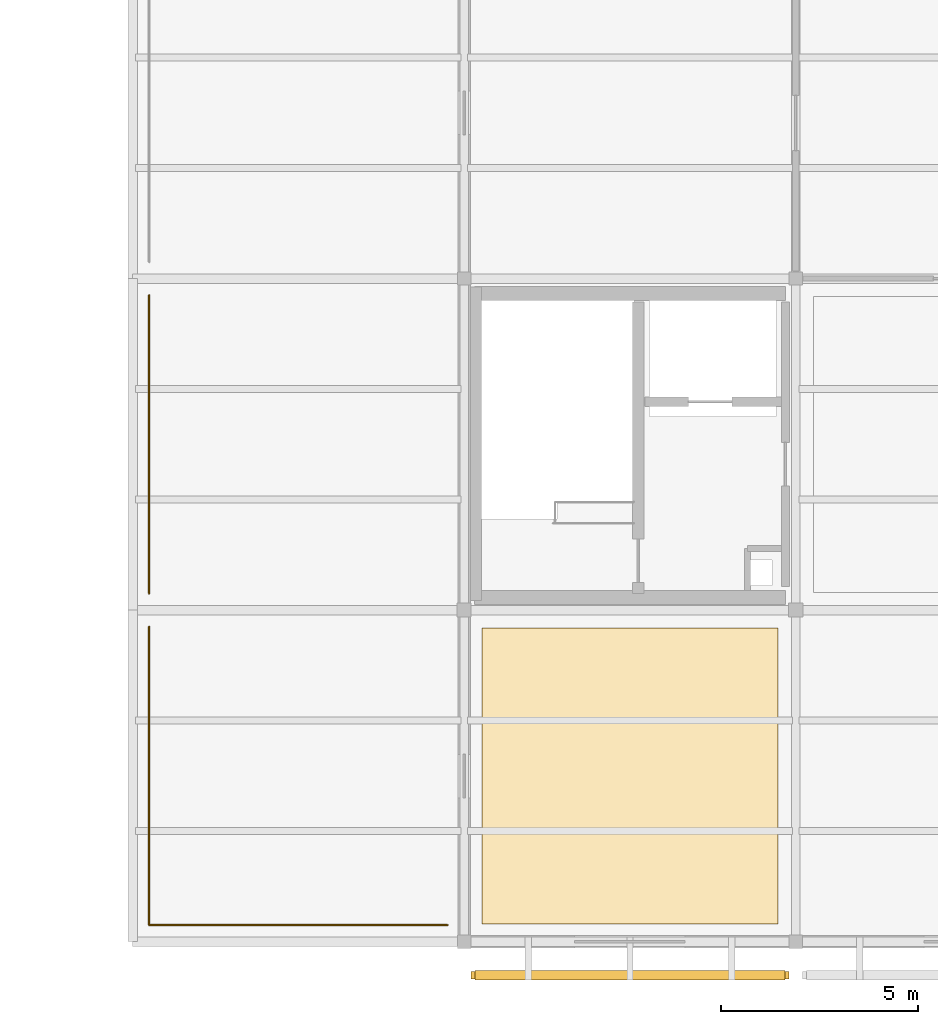
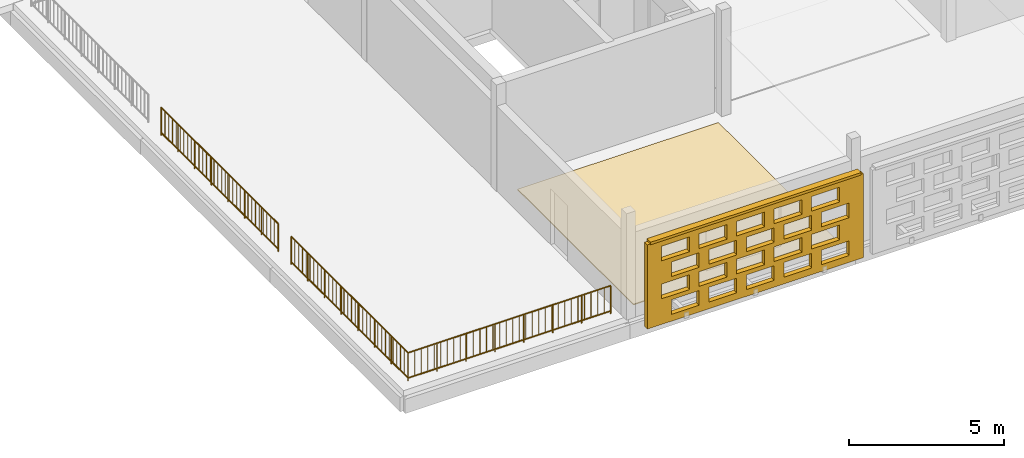
# One storey, part 79 of 103: 3 railings, 2 coverings, 1 shading device, 20 openings.
"""IFC4 building model written with IfcOpenShell, lengths in metres."""

from ifc_helpers import new_model, si_unit, direction, frame, frame_2d, origin, origin_2d, place, context, subcontext, project, spatial, rectangle, circle, extrude, material, layer, layer_set, type_object, element, save


model = new_model("IFC4")

# Units and contexts
model_context = context("Model", 3, precision=1e-05, world=origin(), true_north=direction((0.0, 1.0)))
body_context = subcontext(model_context, "Body", "Model", "MODEL_VIEW")
ifc_project = project(units=[si_unit("LENGTHUNIT", "METRE"), si_unit("AREAUNIT", "SQUARE_METRE"), si_unit("VOLUMEUNIT", "CUBIC_METRE"), si_unit("PLANEANGLEUNIT", "RADIAN"), si_unit("MASSUNIT", "GRAM", prefix="KILO")], contexts=[model_context])

# Site, building, storey
site_placement = place(None, origin())
site = spatial("IfcSite", under=ifc_project, at=site_placement, CompositionType="ELEMENT")
building_placement = place(site_placement, origin())
building = spatial("IfcBuilding", under=site, at=building_placement, Name="Varnapada Polytechnic", CompositionType="ELEMENT")
storey_placement = place(building_placement, frame((0.0, 0.0, 18.0)))
storey = spatial("IfcBuildingStorey", under=building, at=storey_placement, Name="L04", CompositionType="ELEMENT", Elevation=18.0)

# Covering
ifc_material_1 = material(Name="Acoustic Rubber Seminar Flooring")
ifc_layer_1 = layer(ifc_material_1, 0.0400390625)
ifc_layer_set_1 = layer_set([ifc_layer_1], Name="Acoustic Rubber Seminar Flooring")
covering_type_1 = type_object("IfcCoveringType", Name="Floor Finish FLR-06", PredefinedType="FLOORING", material=ifc_layer_set_1)
covering_1_placement = place(storey_placement, frame((21.0, 12.60009765625, 0.0), z_axis=(0.0, 0.0, 1.0), x_axis=(1.0, 0.0, 0.0)))
element("IfcCovering", 1, at=covering_1_placement, inside=storey, type_object=covering_type_1, Name="L04 floor finish panel (3,2)", PredefinedType="FLOORING", context=body_context, shape_type="SweptSolid", body=[
    extrude(rectangle(XDim=7.5, YDim=7.5, at=origin_2d()), origin(), (0.0, 0.0, 1.0), 0.0400390625),
])

# Railings
ifc_material_2 = material(Name="Painted galvanized steel", Category="steel")
railing_type = type_object("IfcRailingType", Name="Terrace Guard Rail GRD-01", PredefinedType="BALUSTRADE", material=ifc_material_2)
railing_1_placement = place(storey_placement, frame((8.820068359375, 8.820068359375, 0.0)))
element("IfcRailing", 2, at=railing_1_placement, inside=storey, type_object=railing_type, Name="L04 terrace perimeter guard rail 1", PredefinedType="BALUSTRADE", context=body_context, shape_type="SweptSolid", body=[
    extrude(circle(Radius=0.02392578125, at=origin_2d()), frame((0.0, 0.0, 1.09619140625), z_axis=(1.0, 0.0, 0.0), x_axis=(0.0, 1.0, 0.0)), (0.0, 0.0, 1.0), 7.559814453125),
    extrude(circle(Radius=0.02392578125, at=origin_2d()), frame((0.0, 0.0, 0.10009765625), z_axis=(1.0, 0.0, 0.0), x_axis=(0.0, 1.0, 0.0)), (0.0, 0.0, 1.0), 7.559814453125),
    extrude(circle(Radius=0.02099609375, at=origin_2d()), origin(), (0.0, 0.0, 1.0), 1.072021484375),
    extrude(circle(Radius=0.02099609375, at=origin_2d()), frame((1.080078125, 0.0, 0.0)), (0.0, 0.0, 1.0), 1.072021484375),
    extrude(circle(Radius=0.02099609375, at=origin_2d()), frame((2.159912109375, 0.0, 0.0)), (0.0, 0.0, 1.0), 1.072021484375),
    extrude(circle(Radius=0.02099609375, at=origin_2d()), frame((3.239990234375, 0.0, 0.0)), (0.0, 0.0, 1.0), 1.072021484375),
    extrude(circle(Radius=0.02099609375, at=origin_2d()), frame((4.31982421875, 0.0, 0.0)), (0.0, 0.0, 1.0), 1.072021484375),
    extrude(circle(Radius=0.02099609375, at=origin_2d()), frame((5.39990234375, 0.0, 0.0)), (0.0, 0.0, 1.0), 1.072021484375),
    extrude(circle(Radius=0.02099609375, at=origin_2d()), frame((6.479736328125, 0.0, 0.0)), (0.0, 0.0, 1.0), 1.072021484375),
    extrude(circle(Radius=0.02099609375, at=origin_2d()), frame((7.559814453125, 0.0, 0.0)), (0.0, 0.0, 1.0), 1.072021484375),
    extrude(circle(Radius=0.010009765625, at=origin_2d()), frame((0.243896484375, 0.0, 0.10009765625)), (0.0, 0.0, 1.0), 0.971923828125),
    extrude(circle(Radius=0.010009765625, at=origin_2d()), frame((0.48779296875, 0.0, 0.10009765625)), (0.0, 0.0, 1.0), 0.971923828125),
    extrude(circle(Radius=0.010009765625, at=origin_2d()), frame((0.731689453125, 0.0, 0.10009765625)), (0.0, 0.0, 1.0), 0.971923828125),
    extrude(circle(Radius=0.010009765625, at=origin_2d()), frame((0.975341796875, 0.0, 0.10009765625)), (0.0, 0.0, 1.0), 0.971923828125),
    extrude(circle(Radius=0.010009765625, at=origin_2d()), frame((1.21923828125, 0.0, 0.10009765625)), (0.0, 0.0, 1.0), 0.971923828125),
    extrude(circle(Radius=0.010009765625, at=origin_2d()), frame((1.463134765625, 0.0, 0.10009765625)), (0.0, 0.0, 1.0), 0.971923828125),
    extrude(circle(Radius=0.010009765625, at=origin_2d()), frame((1.70703125, 0.0, 0.10009765625)), (0.0, 0.0, 1.0), 0.971923828125),
    extrude(circle(Radius=0.010009765625, at=origin_2d()), frame((1.950927734375, 0.0, 0.10009765625)), (0.0, 0.0, 1.0), 0.971923828125),
    extrude(circle(Radius=0.010009765625, at=origin_2d()), frame((2.19482421875, 0.0, 0.10009765625)), (0.0, 0.0, 1.0), 0.971923828125),
    extrude(circle(Radius=0.010009765625, at=origin_2d()), frame((2.438720703125, 0.0, 0.10009765625)), (0.0, 0.0, 1.0), 0.971923828125),
    extrude(circle(Radius=0.010009765625, at=origin_2d()), frame((2.6826171875, 0.0, 0.10009765625)), (0.0, 0.0, 1.0), 0.971923828125),
    extrude(circle(Radius=0.010009765625, at=origin_2d()), frame((2.92626953125, 0.0, 0.10009765625)), (0.0, 0.0, 1.0), 0.971923828125),
    extrude(circle(Radius=0.010009765625, at=origin_2d()), frame((3.170166015625, 0.0, 0.10009765625)), (0.0, 0.0, 1.0), 0.971923828125),
    extrude(circle(Radius=0.010009765625, at=origin_2d()), frame((3.4140625, 0.0, 0.10009765625)), (0.0, 0.0, 1.0), 0.971923828125),
    extrude(circle(Radius=0.010009765625, at=origin_2d()), frame((3.657958984375, 0.0, 0.10009765625)), (0.0, 0.0, 1.0), 0.971923828125),
    extrude(circle(Radius=0.010009765625, at=origin_2d()), frame((3.90185546875, 0.0, 0.10009765625)), (0.0, 0.0, 1.0), 0.971923828125),
    extrude(circle(Radius=0.010009765625, at=origin_2d()), frame((4.145751953125, 0.0, 0.10009765625)), (0.0, 0.0, 1.0), 0.971923828125),
    extrude(circle(Radius=0.010009765625, at=origin_2d()), frame((4.3896484375, 0.0, 0.10009765625)), (0.0, 0.0, 1.0), 0.971923828125),
    extrude(circle(Radius=0.010009765625, at=origin_2d()), frame((4.633544921875, 0.0, 0.10009765625)), (0.0, 0.0, 1.0), 0.971923828125),
    extrude(circle(Radius=0.010009765625, at=origin_2d()), frame((4.877197265625, 0.0, 0.10009765625)), (0.0, 0.0, 1.0), 0.971923828125),
    extrude(circle(Radius=0.010009765625, at=origin_2d()), frame((5.12109375, 0.0, 0.10009765625)), (0.0, 0.0, 1.0), 0.971923828125),
    extrude(circle(Radius=0.010009765625, at=origin_2d()), frame((5.364990234375, 0.0, 0.10009765625)), (0.0, 0.0, 1.0), 0.971923828125),
    extrude(circle(Radius=0.010009765625, at=origin_2d()), frame((5.60888671875, 0.0, 0.10009765625)), (0.0, 0.0, 1.0), 0.971923828125),
    extrude(circle(Radius=0.010009765625, at=origin_2d()), frame((5.852783203125, 0.0, 0.10009765625)), (0.0, 0.0, 1.0), 0.971923828125),
    extrude(circle(Radius=0.010009765625, at=origin_2d()), frame((6.0966796875, 0.0, 0.10009765625)), (0.0, 0.0, 1.0), 0.971923828125),
    extrude(circle(Radius=0.010009765625, at=origin_2d()), frame((6.340576171875, 0.0, 0.10009765625)), (0.0, 0.0, 1.0), 0.971923828125),
    extrude(circle(Radius=0.010009765625, at=origin_2d()), frame((6.58447265625, 0.0, 0.10009765625)), (0.0, 0.0, 1.0), 0.971923828125),
    extrude(circle(Radius=0.010009765625, at=origin_2d()), frame((6.828125, 0.0, 0.10009765625)), (0.0, 0.0, 1.0), 0.971923828125),
    extrude(circle(Radius=0.010009765625, at=origin_2d()), frame((7.072021484375, 0.0, 0.10009765625)), (0.0, 0.0, 1.0), 0.971923828125),
    extrude(circle(Radius=0.010009765625, at=origin_2d()), frame((7.31591796875, 0.0, 0.10009765625)), (0.0, 0.0, 1.0), 0.971923828125),
])
railing_2_placement = place(storey_placement, frame((8.820068359375, 8.820068359375, 0.0)))
element("IfcRailing", 3, at=railing_2_placement, inside=storey, type_object=railing_type, Name="L04 terrace perimeter guard rail 2", PredefinedType="BALUSTRADE", context=body_context, shape_type="SweptSolid", body=[
    extrude(circle(Radius=0.02392578125, at=origin_2d()), frame((0.0, 0.0, 1.09619140625), z_axis=(0.0, 1.0, 0.0), x_axis=(-1.0, 0.0, 0.0)), (0.0, 0.0, 1.0), 7.559814453125),
    extrude(circle(Radius=0.02392578125, at=origin_2d()), frame((0.0, 0.0, 0.10009765625), z_axis=(0.0, 1.0, 0.0), x_axis=(-1.0, 0.0, 0.0)), (0.0, 0.0, 1.0), 7.559814453125),
    extrude(circle(Radius=0.02099609375, at=origin_2d()), origin(), (0.0, 0.0, 1.0), 1.072021484375),
    extrude(circle(Radius=0.02099609375, at=origin_2d()), frame((0.0, 1.080078125, 0.0)), (0.0, 0.0, 1.0), 1.072021484375),
    extrude(circle(Radius=0.02099609375, at=origin_2d()), frame((0.0, 2.159912109375, 0.0)), (0.0, 0.0, 1.0), 1.072021484375),
    extrude(circle(Radius=0.02099609375, at=origin_2d()), frame((0.0, 3.239990234375, 0.0)), (0.0, 0.0, 1.0), 1.072021484375),
    extrude(circle(Radius=0.02099609375, at=origin_2d()), frame((0.0, 4.31982421875, 0.0)), (0.0, 0.0, 1.0), 1.072021484375),
    extrude(circle(Radius=0.02099609375, at=origin_2d()), frame((0.0, 5.39990234375, 0.0)), (0.0, 0.0, 1.0), 1.072021484375),
    extrude(circle(Radius=0.02099609375, at=origin_2d()), frame((0.0, 6.479736328125, 0.0)), (0.0, 0.0, 1.0), 1.072021484375),
    extrude(circle(Radius=0.02099609375, at=origin_2d()), frame((0.0, 7.559814453125, 0.0)), (0.0, 0.0, 1.0), 1.072021484375),
    extrude(circle(Radius=0.010009765625, at=origin_2d()), frame((0.0, 0.243896484375, 0.10009765625)), (0.0, 0.0, 1.0), 0.971923828125),
    extrude(circle(Radius=0.010009765625, at=origin_2d()), frame((0.0, 0.48779296875, 0.10009765625)), (0.0, 0.0, 1.0), 0.971923828125),
    extrude(circle(Radius=0.010009765625, at=origin_2d()), frame((0.0, 0.731689453125, 0.10009765625)), (0.0, 0.0, 1.0), 0.971923828125),
    extrude(circle(Radius=0.010009765625, at=origin_2d()), frame((0.0, 0.975341796875, 0.10009765625)), (0.0, 0.0, 1.0), 0.971923828125),
    extrude(circle(Radius=0.010009765625, at=origin_2d()), frame((0.0, 1.21923828125, 0.10009765625)), (0.0, 0.0, 1.0), 0.971923828125),
    extrude(circle(Radius=0.010009765625, at=origin_2d()), frame((0.0, 1.463134765625, 0.10009765625)), (0.0, 0.0, 1.0), 0.971923828125),
    extrude(circle(Radius=0.010009765625, at=origin_2d()), frame((0.0, 1.70703125, 0.10009765625)), (0.0, 0.0, 1.0), 0.971923828125),
    extrude(circle(Radius=0.010009765625, at=origin_2d()), frame((0.0, 1.950927734375, 0.10009765625)), (0.0, 0.0, 1.0), 0.971923828125),
    extrude(circle(Radius=0.010009765625, at=origin_2d()), frame((0.0, 2.19482421875, 0.10009765625)), (0.0, 0.0, 1.0), 0.971923828125),
    extrude(circle(Radius=0.010009765625, at=origin_2d()), frame((0.0, 2.438720703125, 0.10009765625)), (0.0, 0.0, 1.0), 0.971923828125),
    extrude(circle(Radius=0.010009765625, at=origin_2d()), frame((0.0, 2.6826171875, 0.10009765625)), (0.0, 0.0, 1.0), 0.971923828125),
    extrude(circle(Radius=0.010009765625, at=origin_2d()), frame((0.0, 2.92626953125, 0.10009765625)), (0.0, 0.0, 1.0), 0.971923828125),
    extrude(circle(Radius=0.010009765625, at=origin_2d()), frame((0.0, 3.170166015625, 0.10009765625)), (0.0, 0.0, 1.0), 0.971923828125),
    extrude(circle(Radius=0.010009765625, at=origin_2d()), frame((0.0, 3.4140625, 0.10009765625)), (0.0, 0.0, 1.0), 0.971923828125),
    extrude(circle(Radius=0.010009765625, at=origin_2d()), frame((0.0, 3.657958984375, 0.10009765625)), (0.0, 0.0, 1.0), 0.971923828125),
    extrude(circle(Radius=0.010009765625, at=origin_2d()), frame((0.0, 3.90185546875, 0.10009765625)), (0.0, 0.0, 1.0), 0.971923828125),
    extrude(circle(Radius=0.010009765625, at=origin_2d()), frame((0.0, 4.145751953125, 0.10009765625)), (0.0, 0.0, 1.0), 0.971923828125),
    extrude(circle(Radius=0.010009765625, at=origin_2d()), frame((0.0, 4.3896484375, 0.10009765625)), (0.0, 0.0, 1.0), 0.971923828125),
    extrude(circle(Radius=0.010009765625, at=origin_2d()), frame((0.0, 4.633544921875, 0.10009765625)), (0.0, 0.0, 1.0), 0.971923828125),
    extrude(circle(Radius=0.010009765625, at=origin_2d()), frame((0.0, 4.877197265625, 0.10009765625)), (0.0, 0.0, 1.0), 0.971923828125),
    extrude(circle(Radius=0.010009765625, at=origin_2d()), frame((0.0, 5.12109375, 0.10009765625)), (0.0, 0.0, 1.0), 0.971923828125),
    extrude(circle(Radius=0.010009765625, at=origin_2d()), frame((0.0, 5.364990234375, 0.10009765625)), (0.0, 0.0, 1.0), 0.971923828125),
    extrude(circle(Radius=0.010009765625, at=origin_2d()), frame((0.0, 5.60888671875, 0.10009765625)), (0.0, 0.0, 1.0), 0.971923828125),
    extrude(circle(Radius=0.010009765625, at=origin_2d()), frame((0.0, 5.852783203125, 0.10009765625)), (0.0, 0.0, 1.0), 0.971923828125),
    extrude(circle(Radius=0.010009765625, at=origin_2d()), frame((0.0, 6.0966796875, 0.10009765625)), (0.0, 0.0, 1.0), 0.971923828125),
    extrude(circle(Radius=0.010009765625, at=origin_2d()), frame((0.0, 6.340576171875, 0.10009765625)), (0.0, 0.0, 1.0), 0.971923828125),
    extrude(circle(Radius=0.010009765625, at=origin_2d()), frame((0.0, 6.58447265625, 0.10009765625)), (0.0, 0.0, 1.0), 0.971923828125),
    extrude(circle(Radius=0.010009765625, at=origin_2d()), frame((0.0, 6.828125, 0.10009765625)), (0.0, 0.0, 1.0), 0.971923828125),
    extrude(circle(Radius=0.010009765625, at=origin_2d()), frame((0.0, 7.072021484375, 0.10009765625)), (0.0, 0.0, 1.0), 0.971923828125),
    extrude(circle(Radius=0.010009765625, at=origin_2d()), frame((0.0, 7.31591796875, 0.10009765625)), (0.0, 0.0, 1.0), 0.971923828125),
])
railing_3_placement = place(storey_placement, frame((8.820068359375, 17.219970703125, 0.0)))
element("IfcRailing", 4, at=railing_3_placement, inside=storey, type_object=railing_type, Name="L04 terrace perimeter guard rail 3", PredefinedType="BALUSTRADE", context=body_context, shape_type="SweptSolid", body=[
    extrude(circle(Radius=0.02392578125, at=origin_2d()), frame((0.0, 0.0, 1.09619140625), z_axis=(0.0, 1.0, 0.0), x_axis=(-1.0, 0.0, 0.0)), (0.0, 0.0, 1.0), 7.56005859375),
    extrude(circle(Radius=0.02392578125, at=origin_2d()), frame((0.0, 0.0, 0.10009765625), z_axis=(0.0, 1.0, 0.0), x_axis=(-1.0, 0.0, 0.0)), (0.0, 0.0, 1.0), 7.56005859375),
    extrude(circle(Radius=0.02099609375, at=origin_2d()), origin(), (0.0, 0.0, 1.0), 1.072021484375),
    extrude(circle(Radius=0.02099609375, at=origin_2d()), frame((0.0, 1.080078125, 0.0)), (0.0, 0.0, 1.0), 1.072021484375),
    extrude(circle(Radius=0.02099609375, at=origin_2d()), frame((0.0, 2.159912109375, 0.0)), (0.0, 0.0, 1.0), 1.072021484375),
    extrude(circle(Radius=0.02099609375, at=origin_2d()), frame((0.0, 3.239990234375, 0.0)), (0.0, 0.0, 1.0), 1.072021484375),
    extrude(circle(Radius=0.02099609375, at=origin_2d()), frame((0.0, 4.320068359375, 0.0)), (0.0, 0.0, 1.0), 1.072021484375),
    extrude(circle(Radius=0.02099609375, at=origin_2d()), frame((0.0, 5.400146484375, 0.0)), (0.0, 0.0, 1.0), 1.072021484375),
    extrude(circle(Radius=0.02099609375, at=origin_2d()), frame((0.0, 6.47998046875, 0.0)), (0.0, 0.0, 1.0), 1.072021484375),
    extrude(circle(Radius=0.02099609375, at=origin_2d()), frame((0.0, 7.56005859375, 0.0)), (0.0, 0.0, 1.0), 1.072021484375),
    extrude(circle(Radius=0.010009765625, at=origin_2d()), frame((0.0, 0.243896484375, 0.10009765625)), (0.0, 0.0, 1.0), 0.971923828125),
    extrude(circle(Radius=0.010009765625, at=origin_2d()), frame((0.0, 0.48779296875, 0.10009765625)), (0.0, 0.0, 1.0), 0.971923828125),
    extrude(circle(Radius=0.010009765625, at=origin_2d()), frame((0.0, 0.731689453125, 0.10009765625)), (0.0, 0.0, 1.0), 0.971923828125),
    extrude(circle(Radius=0.010009765625, at=origin_2d()), frame((0.0, 0.9755859375, 0.10009765625)), (0.0, 0.0, 1.0), 0.971923828125),
    extrude(circle(Radius=0.010009765625, at=origin_2d()), frame((0.0, 1.219482421875, 0.10009765625)), (0.0, 0.0, 1.0), 0.971923828125),
    extrude(circle(Radius=0.010009765625, at=origin_2d()), frame((0.0, 1.463134765625, 0.10009765625)), (0.0, 0.0, 1.0), 0.971923828125),
    extrude(circle(Radius=0.010009765625, at=origin_2d()), frame((0.0, 1.70703125, 0.10009765625)), (0.0, 0.0, 1.0), 0.971923828125),
    extrude(circle(Radius=0.010009765625, at=origin_2d()), frame((0.0, 1.950927734375, 0.10009765625)), (0.0, 0.0, 1.0), 0.971923828125),
    extrude(circle(Radius=0.010009765625, at=origin_2d()), frame((0.0, 2.19482421875, 0.10009765625)), (0.0, 0.0, 1.0), 0.971923828125),
    extrude(circle(Radius=0.010009765625, at=origin_2d()), frame((0.0, 2.438720703125, 0.10009765625)), (0.0, 0.0, 1.0), 0.971923828125),
    extrude(circle(Radius=0.010009765625, at=origin_2d()), frame((0.0, 2.6826171875, 0.10009765625)), (0.0, 0.0, 1.0), 0.971923828125),
    extrude(circle(Radius=0.010009765625, at=origin_2d()), frame((0.0, 2.926513671875, 0.10009765625)), (0.0, 0.0, 1.0), 0.971923828125),
    extrude(circle(Radius=0.010009765625, at=origin_2d()), frame((0.0, 3.17041015625, 0.10009765625)), (0.0, 0.0, 1.0), 0.971923828125),
    extrude(circle(Radius=0.010009765625, at=origin_2d()), frame((0.0, 3.414306640625, 0.10009765625)), (0.0, 0.0, 1.0), 0.971923828125),
    extrude(circle(Radius=0.010009765625, at=origin_2d()), frame((0.0, 3.658203125, 0.10009765625)), (0.0, 0.0, 1.0), 0.971923828125),
    extrude(circle(Radius=0.010009765625, at=origin_2d()), frame((0.0, 3.90185546875, 0.10009765625)), (0.0, 0.0, 1.0), 0.971923828125),
    extrude(circle(Radius=0.010009765625, at=origin_2d()), frame((0.0, 4.145751953125, 0.10009765625)), (0.0, 0.0, 1.0), 0.971923828125),
    extrude(circle(Radius=0.010009765625, at=origin_2d()), frame((0.0, 4.3896484375, 0.10009765625)), (0.0, 0.0, 1.0), 0.971923828125),
    extrude(circle(Radius=0.010009765625, at=origin_2d()), frame((0.0, 4.633544921875, 0.10009765625)), (0.0, 0.0, 1.0), 0.971923828125),
    extrude(circle(Radius=0.010009765625, at=origin_2d()), frame((0.0, 4.87744140625, 0.10009765625)), (0.0, 0.0, 1.0), 0.971923828125),
    extrude(circle(Radius=0.010009765625, at=origin_2d()), frame((0.0, 5.121337890625, 0.10009765625)), (0.0, 0.0, 1.0), 0.971923828125),
    extrude(circle(Radius=0.010009765625, at=origin_2d()), frame((0.0, 5.365234375, 0.10009765625)), (0.0, 0.0, 1.0), 0.971923828125),
    extrude(circle(Radius=0.010009765625, at=origin_2d()), frame((0.0, 5.609130859375, 0.10009765625)), (0.0, 0.0, 1.0), 0.971923828125),
    extrude(circle(Radius=0.010009765625, at=origin_2d()), frame((0.0, 5.85302734375, 0.10009765625)), (0.0, 0.0, 1.0), 0.971923828125),
    extrude(circle(Radius=0.010009765625, at=origin_2d()), frame((0.0, 6.096923828125, 0.10009765625)), (0.0, 0.0, 1.0), 0.971923828125),
    extrude(circle(Radius=0.010009765625, at=origin_2d()), frame((0.0, 6.340576171875, 0.10009765625)), (0.0, 0.0, 1.0), 0.971923828125),
    extrude(circle(Radius=0.010009765625, at=origin_2d()), frame((0.0, 6.58447265625, 0.10009765625)), (0.0, 0.0, 1.0), 0.971923828125),
    extrude(circle(Radius=0.010009765625, at=origin_2d()), frame((0.0, 6.828369140625, 0.10009765625)), (0.0, 0.0, 1.0), 0.971923828125),
    extrude(circle(Radius=0.010009765625, at=origin_2d()), frame((0.0, 7.072265625, 0.10009765625)), (0.0, 0.0, 1.0), 0.971923828125),
    extrude(circle(Radius=0.010009765625, at=origin_2d()), frame((0.0, 7.316162109375, 0.10009765625)), (0.0, 0.0, 1.0), 0.971923828125),
])

# Covering, openings
ifc_material_3 = material(Name="Earth-toned architectural terracotta screen block", Category="masonry")
ifc_layer_2 = layer(ifc_material_3, 0.1201171875)
ifc_layer_set_2 = layer_set([ifc_layer_2], Name="Earth-toned architectural terracotta screen block")
covering_type_2 = type_object("IfcCoveringType", Name="Terracotta Screen Cladding CLD-01", PredefinedType="CLADDING", material=ifc_layer_set_2)
covering_2_placement = place(storey_placement, frame((25.030029296875, 7.550048828125, 0.0), z_axis=(0.0, 0.0, 1.0), x_axis=(-1.0, 0.0, 0.0)))
covering_2 = element("IfcCovering", 5, at=covering_2_placement, inside=storey, type_object=covering_type_2, Name="L04 perforated terracotta block screen (14)", PredefinedType="CLADDING", context=body_context, shape_type="SweptSolid", body=[
    extrude(rectangle(XDim=8.06005859375, YDim=0.179931640625, at=frame_2d((4.030029296875, 0.0))), origin(), (0.0, 0.0, 1.0), 3.320068359375),
])
opening_1_placement = place(covering_2_placement, frame((0.530029296875, 0.0, 0.265625)))
element("IfcOpeningElement", 6, at=opening_1_placement, cuts=covering_2, Name="Screen perforation TBS-L04-013.1", PredefinedType="OPENING", context=body_context, shape_type="SweptSolid", body=[
    extrude(rectangle(XDim=1.0400390625, YDim=0.5810546875, at=frame_2d((0.52001953125, 0.29052734375))), frame((0.0, 0.099853515625, 0.0), z_axis=(0.0, -1.0, 0.0), x_axis=(1.0, 0.0, 0.0)), (0.0, 0.0, 1.0), 0.199951171875),
])
opening_2_placement = place(covering_2_placement, frame((1.929931640625, 0.0, 0.265625)))
element("IfcOpeningElement", 7, at=opening_2_placement, cuts=covering_2, Name="Screen perforation TBS-L04-013.2", PredefinedType="OPENING", context=body_context, shape_type="SweptSolid", body=[
    extrude(rectangle(XDim=1.0400390625, YDim=0.5810546875, at=frame_2d((0.52001953125, 0.29052734375))), frame((0.0, 0.099853515625, 0.0), z_axis=(0.0, -1.0, 0.0), x_axis=(1.0, 0.0, 0.0)), (0.0, 0.0, 1.0), 0.199951171875),
])
opening_3_placement = place(covering_2_placement, frame((3.330078125, 0.0, 0.265625)))
element("IfcOpeningElement", 8, at=opening_3_placement, cuts=covering_2, Name="Screen perforation TBS-L04-013.3", PredefinedType="OPENING", context=body_context, shape_type="SweptSolid", body=[
    extrude(rectangle(XDim=1.0400390625, YDim=0.5810546875, at=frame_2d((0.52001953125, 0.29052734375))), frame((0.0, 0.099853515625, 0.0), z_axis=(0.0, -1.0, 0.0), x_axis=(1.0, 0.0, 0.0)), (0.0, 0.0, 1.0), 0.199951171875),
])
opening_4_placement = place(covering_2_placement, frame((4.72998046875, 0.0, 0.265625)))
element("IfcOpeningElement", 9, at=opening_4_placement, cuts=covering_2, Name="Screen perforation TBS-L04-013.4", PredefinedType="OPENING", context=body_context, shape_type="SweptSolid", body=[
    extrude(rectangle(XDim=1.0400390625, YDim=0.5810546875, at=frame_2d((0.52001953125, 0.29052734375))), frame((0.0, 0.099853515625, 0.0), z_axis=(0.0, -1.0, 0.0), x_axis=(1.0, 0.0, 0.0)), (0.0, 0.0, 1.0), 0.199951171875),
])
opening_5_placement = place(covering_2_placement, frame((6.1298828125, 0.0, 0.265625)))
element("IfcOpeningElement", 10, at=opening_5_placement, cuts=covering_2, Name="Screen perforation TBS-L04-013.5", PredefinedType="OPENING", context=body_context, shape_type="SweptSolid", body=[
    extrude(rectangle(XDim=1.0400390625, YDim=0.5810546875, at=frame_2d((0.52001953125, 0.29052734375))), frame((0.0, 0.099853515625, 0.0), z_axis=(0.0, -1.0, 0.0), x_axis=(1.0, 0.0, 0.0)), (0.0, 0.0, 1.0), 0.199951171875),
])
opening_6_placement = place(covering_2_placement, frame((0.889892578125, 0.0, 1.0126953125)))
element("IfcOpeningElement", 11, at=opening_6_placement, cuts=covering_2, Name="Screen perforation TBS-L04-013.6", PredefinedType="OPENING", context=body_context, shape_type="SweptSolid", body=[
    extrude(rectangle(XDim=1.0400390625, YDim=0.5810546875, at=frame_2d((0.52001953125, 0.29052734375))), frame((0.0, 0.099853515625, 0.0), z_axis=(0.0, -1.0, 0.0), x_axis=(1.0, 0.0, 0.0)), (0.0, 0.0, 1.0), 0.199951171875),
])
opening_7_placement = place(covering_2_placement, frame((2.2900390625, 0.0, 1.0126953125)))
element("IfcOpeningElement", 12, at=opening_7_placement, cuts=covering_2, Name="Screen perforation TBS-L04-013.7", PredefinedType="OPENING", context=body_context, shape_type="SweptSolid", body=[
    extrude(rectangle(XDim=1.0400390625, YDim=0.5810546875, at=frame_2d((0.52001953125, 0.29052734375))), frame((0.0, 0.099853515625, 0.0), z_axis=(0.0, -1.0, 0.0), x_axis=(1.0, 0.0, 0.0)), (0.0, 0.0, 1.0), 0.199951171875),
])
opening_8_placement = place(covering_2_placement, frame((3.68994140625, 0.0, 1.0126953125)))
element("IfcOpeningElement", 13, at=opening_8_placement, cuts=covering_2, Name="Screen perforation TBS-L04-013.8", PredefinedType="OPENING", context=body_context, shape_type="SweptSolid", body=[
    extrude(rectangle(XDim=1.0400390625, YDim=0.5810546875, at=frame_2d((0.52001953125, 0.29052734375))), frame((0.0, 0.099853515625, 0.0), z_axis=(0.0, -1.0, 0.0), x_axis=(1.0, 0.0, 0.0)), (0.0, 0.0, 1.0), 0.199951171875),
])
opening_9_placement = place(covering_2_placement, frame((5.090087890625, 0.0, 1.0126953125)))
element("IfcOpeningElement", 14, at=opening_9_placement, cuts=covering_2, Name="Screen perforation TBS-L04-013.9", PredefinedType="OPENING", context=body_context, shape_type="SweptSolid", body=[
    extrude(rectangle(XDim=1.0400390625, YDim=0.5810546875, at=frame_2d((0.52001953125, 0.29052734375))), frame((0.0, 0.099853515625, 0.0), z_axis=(0.0, -1.0, 0.0), x_axis=(1.0, 0.0, 0.0)), (0.0, 0.0, 1.0), 0.199951171875),
])
opening_10_placement = place(covering_2_placement, frame((6.489990234375, 0.0, 1.0126953125)))
element("IfcOpeningElement", 15, at=opening_10_placement, cuts=covering_2, Name="Screen perforation TBS-L04-013.10", PredefinedType="OPENING", context=body_context, shape_type="SweptSolid", body=[
    extrude(rectangle(XDim=1.0400390625, YDim=0.5810546875, at=frame_2d((0.52001953125, 0.29052734375))), frame((0.0, 0.099853515625, 0.0), z_axis=(0.0, -1.0, 0.0), x_axis=(1.0, 0.0, 0.0)), (0.0, 0.0, 1.0), 0.199951171875),
])
opening_11_placement = place(covering_2_placement, frame((0.530029296875, 0.0, 1.759521484375)))
element("IfcOpeningElement", 16, at=opening_11_placement, cuts=covering_2, Name="Screen perforation TBS-L04-013.11", PredefinedType="OPENING", context=body_context, shape_type="SweptSolid", body=[
    extrude(rectangle(XDim=1.0400390625, YDim=0.5810546875, at=frame_2d((0.52001953125, 0.29052734375))), frame((0.0, 0.099853515625, 0.0), z_axis=(0.0, -1.0, 0.0), x_axis=(1.0, 0.0, 0.0)), (0.0, 0.0, 1.0), 0.199951171875),
])
opening_12_placement = place(covering_2_placement, frame((1.929931640625, 0.0, 1.759521484375)))
element("IfcOpeningElement", 17, at=opening_12_placement, cuts=covering_2, Name="Screen perforation TBS-L04-013.12", PredefinedType="OPENING", context=body_context, shape_type="SweptSolid", body=[
    extrude(rectangle(XDim=1.0400390625, YDim=0.5810546875, at=frame_2d((0.52001953125, 0.29052734375))), frame((0.0, 0.099853515625, 0.0), z_axis=(0.0, -1.0, 0.0), x_axis=(1.0, 0.0, 0.0)), (0.0, 0.0, 1.0), 0.199951171875),
])
opening_13_placement = place(covering_2_placement, frame((3.330078125, 0.0, 1.759521484375)))
element("IfcOpeningElement", 18, at=opening_13_placement, cuts=covering_2, Name="Screen perforation TBS-L04-013.13", PredefinedType="OPENING", context=body_context, shape_type="SweptSolid", body=[
    extrude(rectangle(XDim=1.0400390625, YDim=0.5810546875, at=frame_2d((0.52001953125, 0.29052734375))), frame((0.0, 0.099853515625, 0.0), z_axis=(0.0, -1.0, 0.0), x_axis=(1.0, 0.0, 0.0)), (0.0, 0.0, 1.0), 0.199951171875),
])
opening_14_placement = place(covering_2_placement, frame((4.72998046875, 0.0, 1.759521484375)))
element("IfcOpeningElement", 19, at=opening_14_placement, cuts=covering_2, Name="Screen perforation TBS-L04-013.14", PredefinedType="OPENING", context=body_context, shape_type="SweptSolid", body=[
    extrude(rectangle(XDim=1.0400390625, YDim=0.5810546875, at=frame_2d((0.52001953125, 0.29052734375))), frame((0.0, 0.099853515625, 0.0), z_axis=(0.0, -1.0, 0.0), x_axis=(1.0, 0.0, 0.0)), (0.0, 0.0, 1.0), 0.199951171875),
])
opening_15_placement = place(covering_2_placement, frame((6.1298828125, 0.0, 1.759521484375)))
element("IfcOpeningElement", 20, at=opening_15_placement, cuts=covering_2, Name="Screen perforation TBS-L04-013.15", PredefinedType="OPENING", context=body_context, shape_type="SweptSolid", body=[
    extrude(rectangle(XDim=1.0400390625, YDim=0.5810546875, at=frame_2d((0.52001953125, 0.29052734375))), frame((0.0, 0.099853515625, 0.0), z_axis=(0.0, -1.0, 0.0), x_axis=(1.0, 0.0, 0.0)), (0.0, 0.0, 1.0), 0.199951171875),
])
opening_16_placement = place(covering_2_placement, frame((0.889892578125, 0.0, 2.506591796875)))
element("IfcOpeningElement", 21, at=opening_16_placement, cuts=covering_2, Name="Screen perforation TBS-L04-013.16", PredefinedType="OPENING", context=body_context, shape_type="SweptSolid", body=[
    extrude(rectangle(XDim=1.0400390625, YDim=0.5810546875, at=frame_2d((0.52001953125, 0.29052734375))), frame((0.0, 0.099853515625, 0.0), z_axis=(0.0, -1.0, 0.0), x_axis=(1.0, 0.0, 0.0)), (0.0, 0.0, 1.0), 0.199951171875),
])
opening_17_placement = place(covering_2_placement, frame((2.2900390625, 0.0, 2.506591796875)))
element("IfcOpeningElement", 22, at=opening_17_placement, cuts=covering_2, Name="Screen perforation TBS-L04-013.17", PredefinedType="OPENING", context=body_context, shape_type="SweptSolid", body=[
    extrude(rectangle(XDim=1.0400390625, YDim=0.5810546875, at=frame_2d((0.52001953125, 0.29052734375))), frame((0.0, 0.099853515625, 0.0), z_axis=(0.0, -1.0, 0.0), x_axis=(1.0, 0.0, 0.0)), (0.0, 0.0, 1.0), 0.199951171875),
])
opening_18_placement = place(covering_2_placement, frame((3.68994140625, 0.0, 2.506591796875)))
element("IfcOpeningElement", 23, at=opening_18_placement, cuts=covering_2, Name="Screen perforation TBS-L04-013.18", PredefinedType="OPENING", context=body_context, shape_type="SweptSolid", body=[
    extrude(rectangle(XDim=1.0400390625, YDim=0.5810546875, at=frame_2d((0.52001953125, 0.29052734375))), frame((0.0, 0.099853515625, 0.0), z_axis=(0.0, -1.0, 0.0), x_axis=(1.0, 0.0, 0.0)), (0.0, 0.0, 1.0), 0.199951171875),
])
opening_19_placement = place(covering_2_placement, frame((5.090087890625, 0.0, 2.506591796875)))
element("IfcOpeningElement", 24, at=opening_19_placement, cuts=covering_2, Name="Screen perforation TBS-L04-013.19", PredefinedType="OPENING", context=body_context, shape_type="SweptSolid", body=[
    extrude(rectangle(XDim=1.0400390625, YDim=0.5810546875, at=frame_2d((0.52001953125, 0.29052734375))), frame((0.0, 0.099853515625, 0.0), z_axis=(0.0, -1.0, 0.0), x_axis=(1.0, 0.0, 0.0)), (0.0, 0.0, 1.0), 0.199951171875),
])
opening_20_placement = place(covering_2_placement, frame((6.489990234375, 0.0, 2.506591796875)))
element("IfcOpeningElement", 25, at=opening_20_placement, cuts=covering_2, Name="Screen perforation TBS-L04-013.20", PredefinedType="OPENING", context=body_context, shape_type="SweptSolid", body=[
    extrude(rectangle(XDim=1.0400390625, YDim=0.5810546875, at=frame_2d((0.52001953125, 0.29052734375))), frame((0.0, 0.099853515625, 0.0), z_axis=(0.0, -1.0, 0.0), x_axis=(1.0, 0.0, 0.0)), (0.0, 0.0, 1.0), 0.199951171875),
])

# Shading device
ifc_layer_3 = layer(ifc_material_3, 0.179931640625)
ifc_layer_set_3 = layer_set([ifc_layer_3], Name="Earth-toned architectural terracotta screen block")
shading_device_type = type_object("IfcShadingDeviceType", Name="Terracotta Screen SCR-01", PredefinedType="USERDEFINED", material=ifc_layer_set_3)
shading_device_placement = place(storey_placement, frame((21.0, 7.550048828125, 3.31005859375), z_axis=(0.0, 0.0, 1.0), x_axis=(-1.0, 0.0, 0.0)))
element("IfcShadingDevice", 26, at=shading_device_placement, inside=storey, type_object=shading_device_type, Name="L04 perforated terracotta screen hood 436", ObjectType="SCREEN", PredefinedType="USERDEFINED", context=body_context, shape_type="SweptSolid", body=[
    extrude(rectangle(XDim=7.860107421875, YDim=0.239990234375, at=origin_2d()), origin(), (0.0, 0.0, 1.0), 0.10009765625),
])

save(model, "model.ifc")
